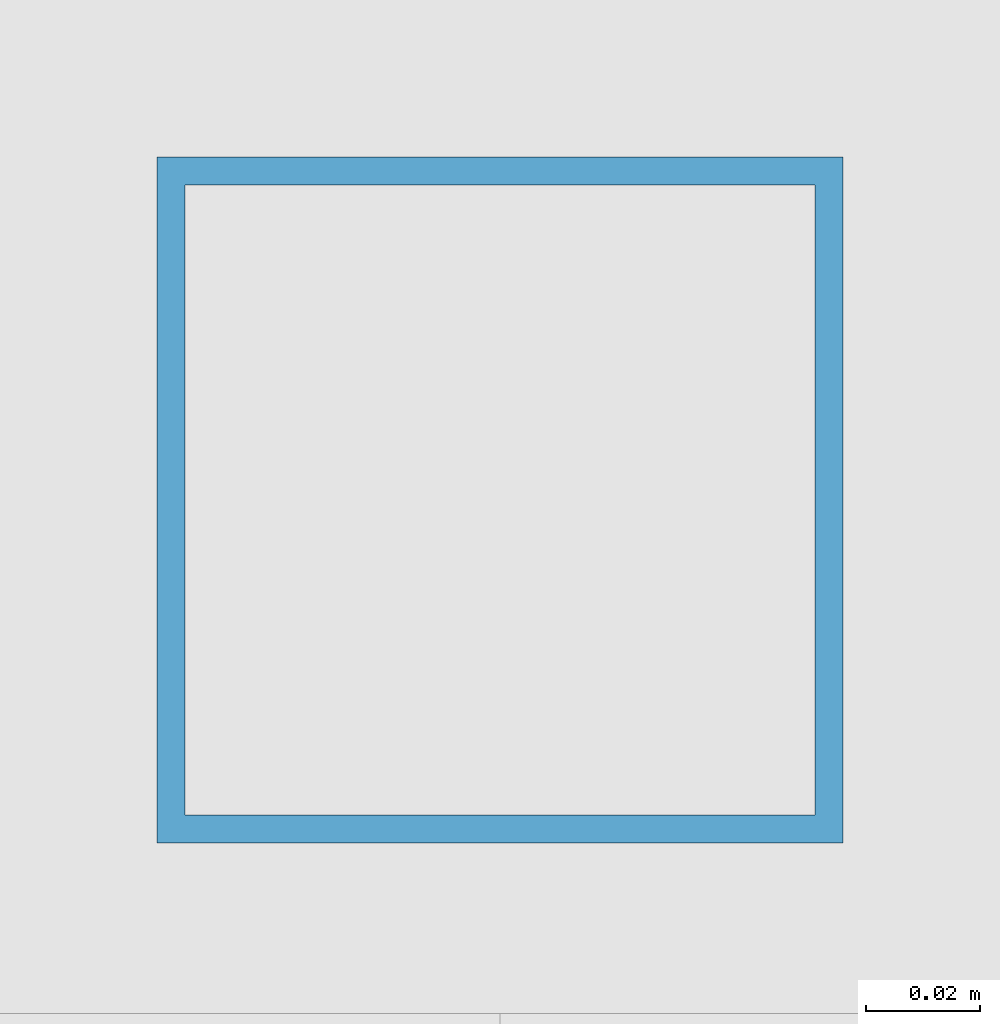
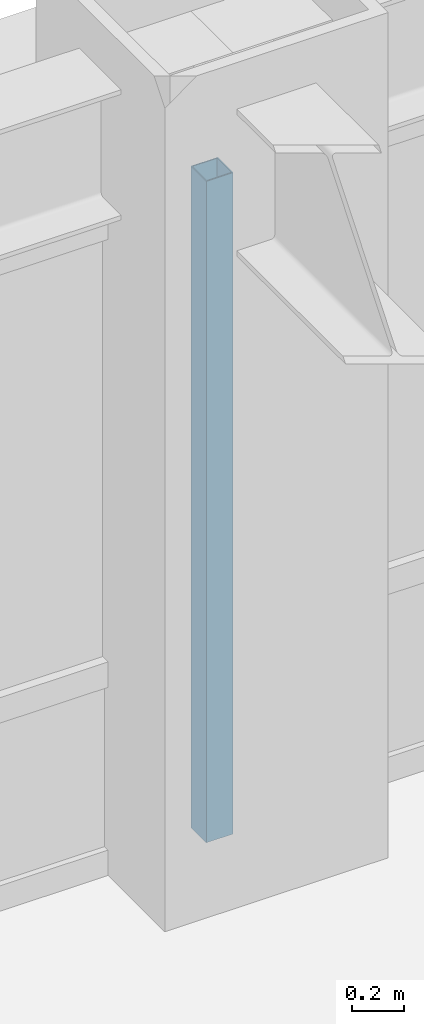
# One storey, part 16 of 29: 1 member, 1 element without a shape of its own.
"""IFC4 building model written with IfcOpenShell, lengths in metres."""

import ifcopenshell
import ifcopenshell.guid

model = None  # the IFC model being written
_history = None  # IfcOwnerHistory: only IFC2X3 demands one
_inside = {}  # id of a spatial element -> (the spatial element, [elements in it])
_under = {}  # id of a project, library or spatial element -> (it, [spatial elements below it])
_declared = {}  # id of a project -> (the project, [libraries it declares])
_typed = {}  # id of a type object -> (the type object, [elements of that type])
_made_of = {}  # id of a material, layer set ... -> (it, [elements and type objects made of it])


def new_model(schema):
    """Start an empty IFC model of exactly this schema.

    Asked for "IFC4X3", IfcOpenShell would pick the latest addendum, in which some entities
    have other attributes; the version numbers below select the first issue.
    IFC2X3 requires an IfcOwnerHistory on every rooted entity: one is made here for all.
    """
    global model, _history
    if schema == "IFC4X3":
        model = ifcopenshell.file(schema_version=(4, 3, 0, 0))
    else:
        model = ifcopenshell.file(schema=schema)
    _inside.clear()
    _under.clear()
    _declared.clear()
    _typed.clear()
    _made_of.clear()
    _history = None
    if model.schema == "IFC2X3":
        org = make("IfcOrganization", Name="unknown")
        user = make(
            "IfcPersonAndOrganization",
            ThePerson=make("IfcPerson", FamilyName="unknown"),
            TheOrganization=org,
        )
        app = make(
            "IfcApplication",
            ApplicationDeveloper=org,
            Version="unknown",
            ApplicationFullName="unknown",
            ApplicationIdentifier="unknown",
        )
        _history = make(
            "IfcOwnerHistory",
            OwningUser=user,
            OwningApplication=app,
            ChangeAction="ADDED",
            CreationDate=0,
        )
    return model


def make(cls, **values):
    """One entity of the class cls with the attributes given. An attribute that is None is left unset."""
    return model.create_entity(
        cls, **{name: value for name, value in values.items() if value is not None}
    )


def rooted(cls, **values):
    """An entity with a GlobalId (a new one), such as an element, a storey or a relation."""
    return make(cls, GlobalId=ifcopenshell.guid.new(), OwnerHistory=_history, **values)


def si_unit(unit_type, name, prefix=None):
    """IfcSIUnit, for example si_unit("LENGTHUNIT", "METRE", prefix="MILLI")."""
    return make("IfcSIUnit", UnitType=unit_type, Prefix=prefix, Name=name)


def assignment(units):
    """IfcUnitAssignment: the units of a project."""
    return None if units is None else make("IfcUnitAssignment", Units=units)


def point(xyz):
    """IfcCartesianPoint."""
    return None if xyz is None else make("IfcCartesianPoint", Coordinates=xyz)


def direction(xyz):
    """IfcDirection."""
    return None if xyz is None else make("IfcDirection", DirectionRatios=xyz)


def frame(location, z_axis=None, x_axis=None):
    """IfcAxis2Placement3D, a coordinate frame: its origin and axes. An axis left out is left unset."""
    return make(
        "IfcAxis2Placement3D",
        Location=point(location),
        Axis=direction(z_axis),
        RefDirection=direction(x_axis),
    )


def frame_2d(location, x_axis=None):
    """IfcAxis2Placement2D, a coordinate frame in the plane: its origin and x axis."""
    return make(
        "IfcAxis2Placement2D", Location=point(location), RefDirection=direction(x_axis)
    )


def origin():
    """The frame at (0, 0, 0) with its axes left unset."""
    return frame((0.0, 0.0, 0.0))


def origin_2d():
    """The frame at (0, 0) in the plane with its x axis left unset."""
    return frame_2d((0.0, 0.0))


def place(relative_to, where):
    """IfcLocalPlacement: puts the frame where relative to a parent placement (None: the world)."""
    return make(
        "IfcLocalPlacement", PlacementRelTo=relative_to, RelativePlacement=where
    )


def context(
    kind, dimensions, precision=None, world=None, true_north=None, identifier=None
):
    """IfcGeometricRepresentationContext, for example the 3D "Model" context."""
    return make(
        "IfcGeometricRepresentationContext",
        ContextIdentifier=identifier,
        ContextType=kind,
        CoordinateSpaceDimension=dimensions,
        Precision=precision,
        WorldCoordinateSystem=world,
        TrueNorth=true_north,
    )


def subcontext(parent, identifier, kind, view, scale=None):
    """IfcGeometricRepresentationSubContext, for example "Body" below "Model"."""
    return make(
        "IfcGeometricRepresentationSubContext",
        ContextIdentifier=identifier,
        ContextType=kind,
        ParentContext=parent,
        TargetScale=scale,
        TargetView=view,
    )


def project(units=None, contexts=None):
    """IfcProject with its units and contexts."""
    return rooted(
        "IfcProject",
        Name="project",
        RepresentationContexts=contexts,
        UnitsInContext=assignment(units),
    )


def spatial(cls, under=None, at=None, **own):
    """A site, building, storey or space (cls), placed at a placement, below another one or the project."""
    s = rooted(cls, ObjectPlacement=at, **own)
    if under is not None:
        _under.setdefault(under.id(), (under, []))[1].append(s)
    return s


def profile(cls, at=None, kind="AREA", **sizes):
    """A parametric profile (cls). Its sizes go by their IFC names, for example OverallWidth=200.0."""
    return make(cls, ProfileType=kind, Position=at, **sizes)


def hollow_rectangle(**sizes):
    """IfcRectangleHollowProfileDef."""
    return profile("IfcRectangleHollowProfileDef", **sizes)


def extrude(swept, where, along, depth):
    """IfcExtrudedAreaSolid: the profile swept, set in the frame where, extruded along a direction by depth."""
    return make(
        "IfcExtrudedAreaSolid",
        SweptArea=swept,
        Position=where,
        ExtrudedDirection=direction(along),
        Depth=depth,
    )


def shape(context_of_items, identifier, shape_type, items):
    """IfcShapeRepresentation: the items that make up one representation, for example the "Body"."""
    return make(
        "IfcShapeRepresentation",
        ContextOfItems=context_of_items,
        RepresentationIdentifier=identifier,
        RepresentationType=shape_type,
        Items=items,
    )


def source(mapping_origin, context_of_items, identifier, shape_type, items):
    """IfcRepresentationMap: a shape defined once, which mapped items show again and again."""
    return make(
        "IfcRepresentationMap",
        MappingOrigin=mapping_origin,
        MappedRepresentation=shape(context_of_items, identifier, shape_type, items),
    )


def transform(
    local_origin,
    x_axis=None,
    y_axis=None,
    z_axis=None,
    scale=None,
    scale2=None,
    scale3=None,
    uniform=True,
):
    """IfcCartesianTransformationOperator3D, or its non-uniform kind. x_axis, y_axis, z_axis: its Axis1, 2, 3."""
    if uniform:
        return make(
            "IfcCartesianTransformationOperator3D",
            Axis1=direction(x_axis),
            Axis2=direction(y_axis),
            LocalOrigin=point(local_origin),
            Scale=scale,
            Axis3=direction(z_axis),
        )
    return make(
        "IfcCartesianTransformationOperator3DnonUniform",
        Axis1=direction(x_axis),
        Axis2=direction(y_axis),
        LocalOrigin=point(local_origin),
        Scale=scale,
        Axis3=direction(z_axis),
        Scale2=scale2,
        Scale3=scale3,
    )


def mapped(mapping_source, mapping_target):
    """IfcMappedItem: shows the shape of a source again, moved by a transform."""
    return make(
        "IfcMappedItem", MappingSource=mapping_source, MappingTarget=mapping_target
    )


def material(Name=None, Category=None):
    """IfcMaterial."""
    return make("IfcMaterial", Name=Name, Category=Category)


def material_profile(
    of_material, cross_section, Name=None, Category=None, Priority=None
):
    """IfcMaterialProfile: a cross section and its material."""
    return make(
        "IfcMaterialProfile",
        Name=Name,
        Material=of_material,
        Profile=cross_section,
        Priority=Priority,
        Category=Category,
    )


def profile_set(profiles, Name=None, composite=None):
    """IfcMaterialProfileSet."""
    return make(
        "IfcMaterialProfileSet",
        Name=Name,
        MaterialProfiles=profiles,
        CompositeProfile=composite,
    )


def made_of(thing, what):
    """Note that an element or type object is made of a material, layer set ...; save() writes the relation."""
    if what is not None:
        _made_of.setdefault(what.id(), (what, []))[1].append(thing)
    return thing


def type_object(cls, material=None, **own):
    """A type object (cls), such as IfcWallType, which elements share."""
    return made_of(rooted(cls, **own), material)


def element(
    cls,
    number,
    at=None,
    inside=None,
    cuts=None,
    type_object=None,
    material=None,
    context=None,
    identifier="Body",
    shape_type=None,
    held_by="IfcProductDefinitionShape",
    body=None,
    shapes=None,
    **own,
):
    """One element of the class cls, such as IfcWall. Its Tag is "e" and its number.

    at: its placement. inside: the storey or other place that contains it. cuts: it is an
    opening in that element (IfcRelVoidsElement). A single representation is given by context,
    identifier, shape_type and body (its items); several are given by shapes. held_by: the class
    of the entity that holds the representations. save() writes the other relations.
    """
    e = rooted(cls, Tag="e%d" % number, ObjectPlacement=at, **own)
    if body is not None:
        shapes = [shape(context, identifier, shape_type, body)]
    if shapes is not None:
        e.Representation = make(held_by, Representations=shapes)
    if inside is not None:
        _inside.setdefault(inside.id(), (inside, []))[1].append(e)
    if cuts is not None:
        rooted(
            "IfcRelVoidsElement", RelatingBuildingElement=cuts, RelatedOpeningElement=e
        )
    if type_object is not None:
        _typed.setdefault(type_object.id(), (type_object, []))[1].append(e)
    return made_of(e, material)


def aggregate(whole, parts):
    """IfcRelAggregates: a whole, such as a stair, and the parts it consists of."""
    return rooted("IfcRelAggregates", RelatingObject=whole, RelatedObjects=parts)


def save(model, path):
    """Write the relations noted so far, then the file.

    IfcRelAggregates (storeys below a building ...), IfcRelContainedInSpatialStructure (elements
    in a storey), IfcRelDefinesByType, IfcRelAssociatesMaterial and IfcRelDeclares: one each for
    every whole, place, type object, material and project.
    """
    for whole, parts in _under.values():
        aggregate(whole, parts)
    for where, things in _inside.values():
        rooted(
            "IfcRelContainedInSpatialStructure",
            RelatedElements=things,
            RelatingStructure=where,
        )
    for kind, things in _typed.values():
        rooted("IfcRelDefinesByType", RelatedObjects=things, RelatingType=kind)
    for what, things in _made_of.values():
        rooted("IfcRelAssociatesMaterial", RelatedObjects=things, RelatingMaterial=what)
    for by, libraries in _declared.values():
        rooted("IfcRelDeclares", RelatingContext=by, RelatedDefinitions=libraries)
    model.write(path)


model = new_model("IFC4")

# Units and contexts
model_context = context("Model", 3, precision=1e-05, world=origin(), true_north=direction((0.0, 1.0)))
body_context = subcontext(model_context, "Body", "Model", "MODEL_VIEW")
ifc_project = project(units=[si_unit("LENGTHUNIT", "METRE"), si_unit("AREAUNIT", "SQUARE_METRE"), si_unit("VOLUMEUNIT", "CUBIC_METRE"), si_unit("PLANEANGLEUNIT", "RADIAN"), si_unit("MASSUNIT", "GRAM", prefix="KILO")], contexts=[model_context])

# Site, building, storey
site_placement = place(None, origin())
site = spatial("IfcSite", under=ifc_project, at=site_placement, CompositionType="ELEMENT")
building_placement = place(site_placement, origin())
building = spatial("IfcBuilding", under=site, at=building_placement, Name="Khorayat Bourse Tower", CompositionType="ELEMENT")
storey_placement = place(building_placement, frame((0.0, 0.0, 235.10009765625)))
storey = spatial("IfcBuildingStorey", under=building, at=storey_placement, Name="L55", CompositionType="ELEMENT", Elevation=235.10009765625)

# Curtain wall, member
ifc_material = material(Name="Aluminium EN AW-6063 T6", Category="aluminium")
curtain_wall_type = type_object("IfcCurtainWallType", Name="CW-SYS-03", PredefinedType="NOTDEFINED", material=ifc_material)
curtain_wall_placement = place(storey_placement, origin())
curtain_wall = element("IfcCurtainWall", 1, at=curtain_wall_placement, inside=storey, type_object=curtain_wall_type, Name="L55 Curtain Wall CW-L55-N1", PredefinedType="NOTDEFINED")
ifc_material_profile = material_profile(ifc_material, hollow_rectangle(XDim=0.1201171875, YDim=0.1201171875, WallThickness=0.0048828125, at=origin_2d()), Name="ALU 120x120x5")
ifc_profile_set = profile_set([ifc_material_profile], Name="Aluminium EN AW-6063 T6")
member_type = type_object("IfcMemberType", Name="CWM-VERT-120", PredefinedType="MULLION", material=ifc_profile_set)
shared_shape = source(origin(), body_context, "Body", "SweptSolid", [
    extrude(hollow_rectangle(XDim=0.1201171875, YDim=0.1201171875, WallThickness=0.0048828125, at=origin_2d()), origin(), (0.0, 0.0, 1.0), 3.1298828125),
])
member_placement = place(storey_placement, frame((0.0, 30.0, 0.0), z_axis=(0.0, 0.0, 1.0), x_axis=(0.0, 1.0, 0.0)))
member = element("IfcMember", 2, at=member_placement, type_object=member_type, Name="CW-L55-N1 Vertical Mullion 2", PredefinedType="MULLION", context=body_context, shape_type="MappedRepresentation", body=[
    mapped(shared_shape, transform((0.0, 0.0, 0.0), scale=1.0)),
])
aggregate(curtain_wall, [member])

save(model, "model.ifc")
